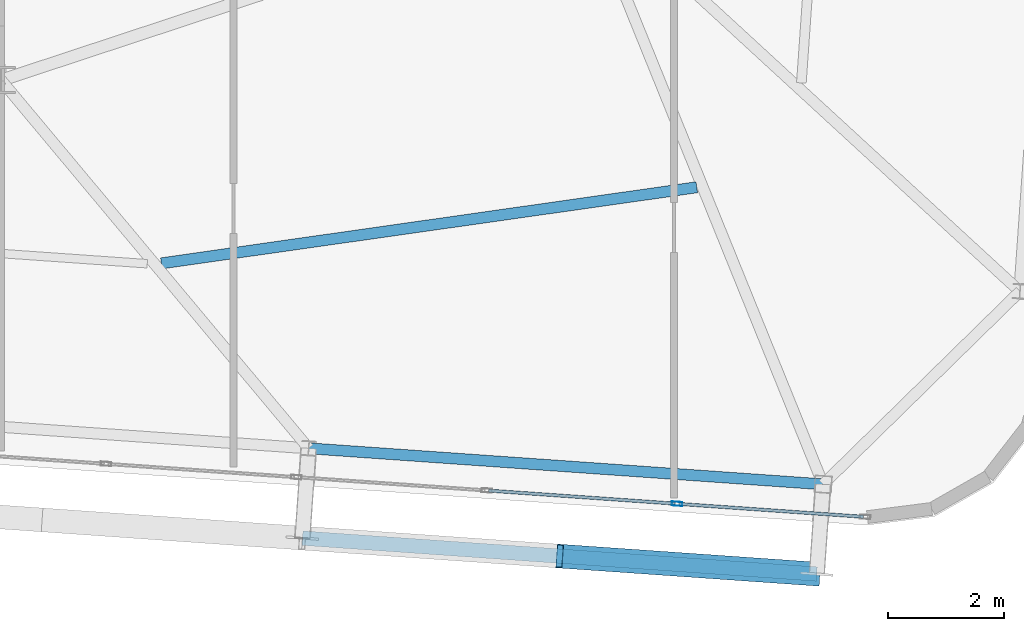
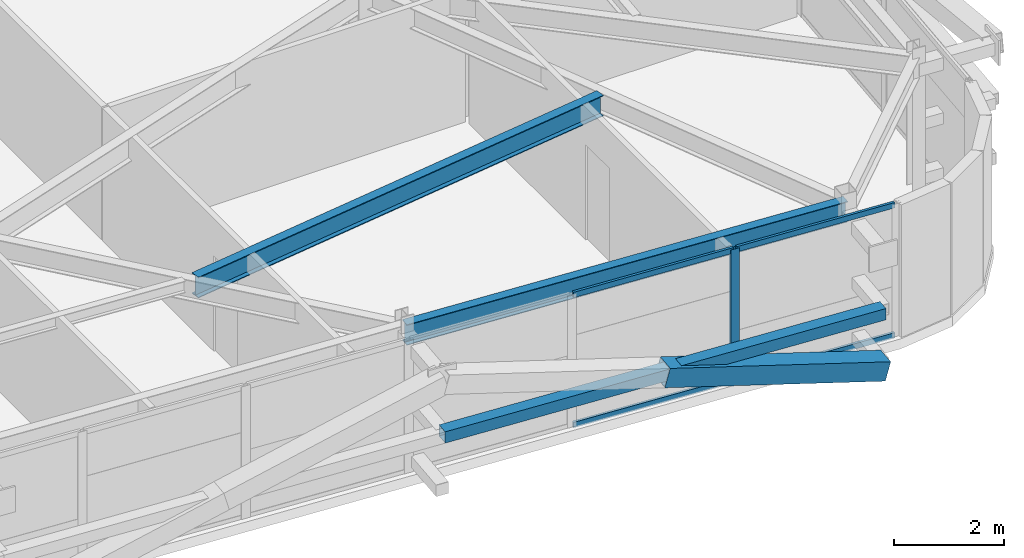
# One storey, part 19 of 47: 7 members, 2 beams, 1 element without a shape of its own.
"""IFC4 building model written with IfcOpenShell, lengths in metres."""

import ifcopenshell
import ifcopenshell.guid

model = None  # the IFC model being written
_history = None  # IfcOwnerHistory: only IFC2X3 demands one
_inside = {}  # id of a spatial element -> (the spatial element, [elements in it])
_under = {}  # id of a project, library or spatial element -> (it, [spatial elements below it])
_declared = {}  # id of a project -> (the project, [libraries it declares])
_typed = {}  # id of a type object -> (the type object, [elements of that type])
_made_of = {}  # id of a material, layer set ... -> (it, [elements and type objects made of it])


def new_model(schema):
    """Start an empty IFC model of exactly this schema.

    Asked for "IFC4X3", IfcOpenShell would pick the latest addendum, in which some entities
    have other attributes; the version numbers below select the first issue.
    IFC2X3 requires an IfcOwnerHistory on every rooted entity: one is made here for all.
    """
    global model, _history
    if schema == "IFC4X3":
        model = ifcopenshell.file(schema_version=(4, 3, 0, 0))
    else:
        model = ifcopenshell.file(schema=schema)
    _inside.clear()
    _under.clear()
    _declared.clear()
    _typed.clear()
    _made_of.clear()
    _history = None
    if model.schema == "IFC2X3":
        org = make("IfcOrganization", Name="unknown")
        user = make(
            "IfcPersonAndOrganization",
            ThePerson=make("IfcPerson", FamilyName="unknown"),
            TheOrganization=org,
        )
        app = make(
            "IfcApplication",
            ApplicationDeveloper=org,
            Version="unknown",
            ApplicationFullName="unknown",
            ApplicationIdentifier="unknown",
        )
        _history = make(
            "IfcOwnerHistory",
            OwningUser=user,
            OwningApplication=app,
            ChangeAction="ADDED",
            CreationDate=0,
        )
    return model


def make(cls, **values):
    """One entity of the class cls with the attributes given. An attribute that is None is left unset."""
    return model.create_entity(
        cls, **{name: value for name, value in values.items() if value is not None}
    )


def rooted(cls, **values):
    """An entity with a GlobalId (a new one), such as an element, a storey or a relation."""
    return make(cls, GlobalId=ifcopenshell.guid.new(), OwnerHistory=_history, **values)


def si_unit(unit_type, name, prefix=None):
    """IfcSIUnit, for example si_unit("LENGTHUNIT", "METRE", prefix="MILLI")."""
    return make("IfcSIUnit", UnitType=unit_type, Prefix=prefix, Name=name)


def assignment(units):
    """IfcUnitAssignment: the units of a project."""
    return None if units is None else make("IfcUnitAssignment", Units=units)


def point(xyz):
    """IfcCartesianPoint."""
    return None if xyz is None else make("IfcCartesianPoint", Coordinates=xyz)


def direction(xyz):
    """IfcDirection."""
    return None if xyz is None else make("IfcDirection", DirectionRatios=xyz)


def frame(location, z_axis=None, x_axis=None):
    """IfcAxis2Placement3D, a coordinate frame: its origin and axes. An axis left out is left unset."""
    return make(
        "IfcAxis2Placement3D",
        Location=point(location),
        Axis=direction(z_axis),
        RefDirection=direction(x_axis),
    )


def frame_2d(location, x_axis=None):
    """IfcAxis2Placement2D, a coordinate frame in the plane: its origin and x axis."""
    return make(
        "IfcAxis2Placement2D", Location=point(location), RefDirection=direction(x_axis)
    )


def origin():
    """The frame at (0, 0, 0) with its axes left unset."""
    return frame((0.0, 0.0, 0.0))


def origin_2d():
    """The frame at (0, 0) in the plane with its x axis left unset."""
    return frame_2d((0.0, 0.0))


def place(relative_to, where):
    """IfcLocalPlacement: puts the frame where relative to a parent placement (None: the world)."""
    return make(
        "IfcLocalPlacement", PlacementRelTo=relative_to, RelativePlacement=where
    )


def context(
    kind, dimensions, precision=None, world=None, true_north=None, identifier=None
):
    """IfcGeometricRepresentationContext, for example the 3D "Model" context."""
    return make(
        "IfcGeometricRepresentationContext",
        ContextIdentifier=identifier,
        ContextType=kind,
        CoordinateSpaceDimension=dimensions,
        Precision=precision,
        WorldCoordinateSystem=world,
        TrueNorth=true_north,
    )


def subcontext(parent, identifier, kind, view, scale=None):
    """IfcGeometricRepresentationSubContext, for example "Body" below "Model"."""
    return make(
        "IfcGeometricRepresentationSubContext",
        ContextIdentifier=identifier,
        ContextType=kind,
        ParentContext=parent,
        TargetScale=scale,
        TargetView=view,
    )


def project(units=None, contexts=None):
    """IfcProject with its units and contexts."""
    return rooted(
        "IfcProject",
        Name="project",
        RepresentationContexts=contexts,
        UnitsInContext=assignment(units),
    )


def spatial(cls, under=None, at=None, **own):
    """A site, building, storey or space (cls), placed at a placement, below another one or the project."""
    s = rooted(cls, ObjectPlacement=at, **own)
    if under is not None:
        _under.setdefault(under.id(), (under, []))[1].append(s)
    return s


def profile(cls, at=None, kind="AREA", **sizes):
    """A parametric profile (cls). Its sizes go by their IFC names, for example OverallWidth=200.0."""
    return make(cls, ProfileType=kind, Position=at, **sizes)


def hollow_rectangle(**sizes):
    """IfcRectangleHollowProfileDef."""
    return profile("IfcRectangleHollowProfileDef", **sizes)


def i_section(**sizes):
    """IfcIShapeProfileDef."""
    return profile("IfcIShapeProfileDef", **sizes)


def extrude(swept, where, along, depth):
    """IfcExtrudedAreaSolid: the profile swept, set in the frame where, extruded along a direction by depth."""
    return make(
        "IfcExtrudedAreaSolid",
        SweptArea=swept,
        Position=where,
        ExtrudedDirection=direction(along),
        Depth=depth,
    )


def shape(context_of_items, identifier, shape_type, items):
    """IfcShapeRepresentation: the items that make up one representation, for example the "Body"."""
    return make(
        "IfcShapeRepresentation",
        ContextOfItems=context_of_items,
        RepresentationIdentifier=identifier,
        RepresentationType=shape_type,
        Items=items,
    )


def source(mapping_origin, context_of_items, identifier, shape_type, items):
    """IfcRepresentationMap: a shape defined once, which mapped items show again and again."""
    return make(
        "IfcRepresentationMap",
        MappingOrigin=mapping_origin,
        MappedRepresentation=shape(context_of_items, identifier, shape_type, items),
    )


def transform(
    local_origin,
    x_axis=None,
    y_axis=None,
    z_axis=None,
    scale=None,
    scale2=None,
    scale3=None,
    uniform=True,
):
    """IfcCartesianTransformationOperator3D, or its non-uniform kind. x_axis, y_axis, z_axis: its Axis1, 2, 3."""
    if uniform:
        return make(
            "IfcCartesianTransformationOperator3D",
            Axis1=direction(x_axis),
            Axis2=direction(y_axis),
            LocalOrigin=point(local_origin),
            Scale=scale,
            Axis3=direction(z_axis),
        )
    return make(
        "IfcCartesianTransformationOperator3DnonUniform",
        Axis1=direction(x_axis),
        Axis2=direction(y_axis),
        LocalOrigin=point(local_origin),
        Scale=scale,
        Axis3=direction(z_axis),
        Scale2=scale2,
        Scale3=scale3,
    )


def mapped(mapping_source, mapping_target):
    """IfcMappedItem: shows the shape of a source again, moved by a transform."""
    return make(
        "IfcMappedItem", MappingSource=mapping_source, MappingTarget=mapping_target
    )


def material(Name=None, Category=None):
    """IfcMaterial."""
    return make("IfcMaterial", Name=Name, Category=Category)


def layer(
    of_material, thickness, ventilated=None, Name=None, Category=None, Priority=None
):
    """IfcMaterialLayer: one layer of a wall or slab, of a material (None: an air gap)."""
    return make(
        "IfcMaterialLayer",
        Material=of_material,
        LayerThickness=thickness,
        IsVentilated=ventilated,
        Name=Name,
        Category=Category,
        Priority=Priority,
    )


def layer_set(layers, Name=None):
    """IfcMaterialLayerSet."""
    return make("IfcMaterialLayerSet", MaterialLayers=layers, LayerSetName=Name)


def material_profile(
    of_material, cross_section, Name=None, Category=None, Priority=None
):
    """IfcMaterialProfile: a cross section and its material."""
    return make(
        "IfcMaterialProfile",
        Name=Name,
        Material=of_material,
        Profile=cross_section,
        Priority=Priority,
        Category=Category,
    )


def profile_set(profiles, Name=None, composite=None):
    """IfcMaterialProfileSet."""
    return make(
        "IfcMaterialProfileSet",
        Name=Name,
        MaterialProfiles=profiles,
        CompositeProfile=composite,
    )


def made_of(thing, what):
    """Note that an element or type object is made of a material, layer set ...; save() writes the relation."""
    if what is not None:
        _made_of.setdefault(what.id(), (what, []))[1].append(thing)
    return thing


def type_object(cls, material=None, **own):
    """A type object (cls), such as IfcWallType, which elements share."""
    return made_of(rooted(cls, **own), material)


def element(
    cls,
    number,
    at=None,
    inside=None,
    cuts=None,
    type_object=None,
    material=None,
    context=None,
    identifier="Body",
    shape_type=None,
    held_by="IfcProductDefinitionShape",
    body=None,
    shapes=None,
    **own,
):
    """One element of the class cls, such as IfcWall. Its Tag is "e" and its number.

    at: its placement. inside: the storey or other place that contains it. cuts: it is an
    opening in that element (IfcRelVoidsElement). A single representation is given by context,
    identifier, shape_type and body (its items); several are given by shapes. held_by: the class
    of the entity that holds the representations. save() writes the other relations.
    """
    e = rooted(cls, Tag="e%d" % number, ObjectPlacement=at, **own)
    if body is not None:
        shapes = [shape(context, identifier, shape_type, body)]
    if shapes is not None:
        e.Representation = make(held_by, Representations=shapes)
    if inside is not None:
        _inside.setdefault(inside.id(), (inside, []))[1].append(e)
    if cuts is not None:
        rooted(
            "IfcRelVoidsElement", RelatingBuildingElement=cuts, RelatedOpeningElement=e
        )
    if type_object is not None:
        _typed.setdefault(type_object.id(), (type_object, []))[1].append(e)
    return made_of(e, material)


def aggregate(whole, parts):
    """IfcRelAggregates: a whole, such as a stair, and the parts it consists of."""
    return rooted("IfcRelAggregates", RelatingObject=whole, RelatedObjects=parts)


def save(model, path):
    """Write the relations noted so far, then the file.

    IfcRelAggregates (storeys below a building ...), IfcRelContainedInSpatialStructure (elements
    in a storey), IfcRelDefinesByType, IfcRelAssociatesMaterial and IfcRelDeclares: one each for
    every whole, place, type object, material and project.
    """
    for whole, parts in _under.values():
        aggregate(whole, parts)
    for where, things in _inside.values():
        rooted(
            "IfcRelContainedInSpatialStructure",
            RelatedElements=things,
            RelatingStructure=where,
        )
    for kind, things in _typed.values():
        rooted("IfcRelDefinesByType", RelatedObjects=things, RelatingType=kind)
    for what, things in _made_of.values():
        rooted("IfcRelAssociatesMaterial", RelatedObjects=things, RelatingMaterial=what)
    for by, libraries in _declared.values():
        rooted("IfcRelDeclares", RelatingContext=by, RelatedDefinitions=libraries)
    model.write(path)


model = new_model("IFC4")

# Units and contexts
model_context = context("Model", 3, precision=1e-05, world=origin(), true_north=direction((0.0, 1.0)))
body_context = subcontext(model_context, "Body", "Model", "MODEL_VIEW")
ifc_project = project(units=[si_unit("LENGTHUNIT", "METRE"), si_unit("AREAUNIT", "SQUARE_METRE"), si_unit("VOLUMEUNIT", "CUBIC_METRE"), si_unit("PLANEANGLEUNIT", "RADIAN"), si_unit("MASSUNIT", "GRAM", prefix="KILO")], contexts=[model_context])

# Site, building, storey
site_placement = place(None, origin())
site = spatial("IfcSite", under=ifc_project, at=site_placement, CompositionType="ELEMENT")
building_placement = place(site_placement, origin())
building = spatial("IfcBuilding", under=site, at=building_placement, Name="Taldren Reach Tower", CompositionType="ELEMENT")
storey_placement = place(building_placement, frame((0.0, 0.0, 142.449951171875)))
storey = spatial("IfcBuildingStorey", under=building, at=storey_placement, Name="L43", CompositionType="ELEMENT", Elevation=142.449951171875)

# Beams
ifc_material_1 = material(Name="Steel Gr 350 (350PLUS)", Category="steel")
ifc_material_profile_1 = material_profile(ifc_material_1, i_section(OverallWidth=0.18994140625, OverallDepth=0.4541015625, WebThickness=0.008544921875, FlangeThickness=0.0126953125, at=origin_2d()), Name="460UB67.1")
ifc_profile_set_1 = profile_set([ifc_material_profile_1], Name="Steel Gr 350 (350PLUS)")
beam_type_1 = type_object("IfcBeamType", Name="SP-UB460B", PredefinedType="SPANDREL", material=ifc_profile_set_1)
shared_shape_1 = source(origin(), body_context, "Body", "SweptSolid", [
    extrude(i_section(OverallWidth=0.18994140625, OverallDepth=0.4541015625, WebThickness=0.008544921875, FlangeThickness=0.0126953125, at=origin_2d()), origin(), (0.0, 0.0, 1.0), 8.880126953125),
])
beam_1_placement = place(storey_placement, frame((47.297119140625, 2.860595703125, 2.703125), z_axis=(0.997564479639, -0.069750333063, 0.0), x_axis=(0.069750333063, 0.997564479639, 0.0)))
element("IfcBeam", 1, at=beam_1_placement, inside=storey, type_object=beam_type_1, Name="Perimeter spandrel B3 S5-S6 L43", PredefinedType="SPANDREL", context=body_context, shape_type="MappedRepresentation", body=[
    mapped(shared_shape_1, transform((0.0, 0.0, 0.0), scale=1.0)),
])
ifc_material_profile_2 = material_profile(ifc_material_1, i_section(OverallWidth=0.19091796875, OverallDepth=0.4599609375, WebThickness=0.010009765625, FlangeThickness=0.01611328125, at=origin_2d()), Name="460UB82.1")
ifc_profile_set_2 = profile_set([ifc_material_profile_2], Name="Steel Gr 350 (350PLUS)")
beam_type_2 = type_object("IfcBeamType", Name="BM-UB460A", PredefinedType="BEAM", material=ifc_profile_set_2)
shared_shape_2 = source(origin(), body_context, "Body", "SweptSolid", [
    extrude(i_section(OverallWidth=0.19091796875, OverallDepth=0.4599609375, WebThickness=0.010009765625, FlangeThickness=0.01611328125, at=origin_2d()), origin(), (0.0, 0.0, 1.0), 9.313232421875),
])
beam_2_placement = place(storey_placement, frame((44.759765625, 6.046142578125, 2.699951171875), z_axis=(0.990049385514, 0.140720340547, 0.0), x_axis=(-0.140720340547, 0.990049385514, 0.0)))
element("IfcBeam", 2, at=beam_2_placement, inside=storey, type_object=beam_type_2, Name="Secondary floor beam B3 J5 L43", PredefinedType="BEAM", context=body_context, shape_type="MappedRepresentation", body=[
    mapped(shared_shape_2, transform((0.0, 0.0, 0.0), scale=1.0)),
])

# Members
ifc_material_2 = material(Name="Steel Gr 350 (C350L0)", Category="steel")
ifc_material_profile_3 = material_profile(ifc_material_2, hollow_rectangle(XDim=0.25, YDim=0.25, WallThickness=0.010009765625, at=origin_2d()), Name="250x250x10.0SHS")
ifc_profile_set_3 = profile_set([ifc_material_profile_3], Name="Steel Gr 350 (C350L0)")
member_type_1 = type_object("IfcMemberType", Name="MB-POST250", PredefinedType="POST", material=ifc_profile_set_3)
shared_shape_3 = source(origin(), body_context, "Body", "SweptSolid", [
    extrude(hollow_rectangle(XDim=0.25, YDim=0.25, WallThickness=0.010009765625, at=origin_2d()), origin(), (0.0, 0.0, 1.0), 8.880126953125),
])
member_1_placement = place(storey_placement, frame((47.18896484375, 1.314453125, 1.43505859375), z_axis=(0.997564479639, -0.069750333063, 0.0), x_axis=(0.069750333063, 0.997564479639, 0.0)))
element("IfcMember", 3, at=member_1_placement, inside=storey, type_object=member_type_1, Name="Exoskeleton mid-height ring chord B3-S5 L43", PredefinedType="POST", context=body_context, shape_type="MappedRepresentation", body=[
    mapped(shared_shape_3, transform((0.0, 0.0, 0.0), scale=1.0)),
])
ifc_material_3 = material(Name="Steel Gr 450 (C450L0)", Category="steel")
ifc_material_profile_4 = material_profile(ifc_material_3, hollow_rectangle(XDim=0.409912109375, YDim=0.409912109375, WallThickness=0.01611328125, at=origin_2d()), Name="410x410x16.0SHS")
ifc_profile_set_4 = profile_set([ifc_material_profile_4], Name="Steel Gr 450 (C450L0)")
member_type_2 = type_object("IfcMemberType", Name="MB-EXO406", PredefinedType="BRACE", material=ifc_profile_set_4)
shared_shape_4 = source(origin(), body_context, "Body", "SweptSolid", [
    extrude(hollow_rectangle(XDim=0.409912109375, YDim=0.409912109375, WallThickness=0.01611328125, at=origin_2d()), origin(), (0.0, 0.0, 1.0), 4.603271484375),
])
member_2_placement = place(storey_placement, frame((56.04736328125, 0.695068359375, 0.219970703125), z_axis=(-0.962185784239, 0.067250114343, 0.263962002434), x_axis=(-0.069722973508, -0.997566392259, 0.0)))
element("IfcMember", 4, at=member_2_placement, inside=storey, type_object=member_type_2, Name="Exoskeleton Diagrid Brace B3-S5 L43", PredefinedType="BRACE", context=body_context, shape_type="MappedRepresentation", body=[
    mapped(shared_shape_4, transform((0.0, 0.0, 0.0), scale=1.0)),
])

# Curtain wall, members
ifc_material_4 = material(Name="Aluminium and Low-E Glass Unitised System", Category="aluminium")
ifc_layer = layer(ifc_material_4, 0.159912109375)
ifc_layer_set = layer_set([ifc_layer], Name="Aluminium and Low-E Glass Unitised System")
curtain_wall_type = type_object("IfcCurtainWallType", Name="CW-SYS-4", PredefinedType="NOTDEFINED", material=ifc_layer_set)
curtain_wall_placement = place(storey_placement, origin())
curtain_wall = element("IfcCurtainWall", 5, at=curtain_wall_placement, inside=storey, type_object=curtain_wall_type, Name="Unitised curtain wall CW-L43-S", PredefinedType="NOTDEFINED")
ifc_material_5 = material(Name="Anodised Aluminium 6063-T6", Category="aluminium")
ifc_material_profile_5 = material_profile(ifc_material_5, hollow_rectangle(XDim=0.070068359375, YDim=0.179931640625, WallThickness=0.00390625, at=origin_2d()), Name="ALU-180x70x4RHS")
ifc_profile_set_5 = profile_set([ifc_material_profile_5], Name="Anodised Aluminium 6063-T6")
member_type_3 = type_object("IfcMemberType", Name="CW-MUL-180", PredefinedType="MULLION", material=ifc_profile_set_5)
shared_shape_5 = source(origin(), body_context, "Body", "SweptSolid", [
    extrude(hollow_rectangle(XDim=0.070068359375, YDim=0.179931640625, WallThickness=0.00390625, at=origin_2d()), origin(), (0.0, 0.0, 1.0), 2.929931640625),
])
member_3_placement = place(storey_placement, frame((53.64013671875, 1.90576171875, 0.0), z_axis=(0.0, 0.0, 1.0), x_axis=(0.06975651593, 0.99756404731, 0.0)))
member_3 = element("IfcMember", 6, at=member_3_placement, type_object=member_type_3, Name="CW-4 mullion 14", PredefinedType="MULLION", context=body_context, shape_type="MappedRepresentation", body=[
    mapped(shared_shape_5, transform((0.0, 0.0, 0.0), scale=1.0)),
])
ifc_material_profile_6 = material_profile(ifc_material_5, hollow_rectangle(XDim=0.054931640625, YDim=0.1201171875, WallThickness=0.0029296875, at=origin_2d()), Name="ALU-120x55x3RHS")
ifc_profile_set_6 = profile_set([ifc_material_profile_6], Name="Anodised Aluminium 6063-T6")
member_type_4 = type_object("IfcMemberType", Name="CW-TRN-135", PredefinedType="USERDEFINED", material=ifc_profile_set_6)
shared_shape_6 = source(origin(), body_context, "Body", "SweptSolid", [
    extrude(hollow_rectangle(XDim=0.054931640625, YDim=0.1201171875, WallThickness=0.0029296875, at=origin_2d()), origin(), (0.0, 0.0, 1.0), 3.215576171875),
])
member_4_placement = place(storey_placement, frame((50.3974609375, 2.132568359375, 0.027587890625), z_axis=(0.997562826405, -0.069773973473, 0.0), x_axis=(0.069773973473, 0.997562826405, 0.0)))
member_4 = element("IfcMember", 7, at=member_4_placement, type_object=member_type_4, Name="CW-4 transom 13.1", ObjectType="TRANSOM", PredefinedType="USERDEFINED", context=body_context, shape_type="MappedRepresentation", body=[
    mapped(shared_shape_6, transform((0.0, 0.0, 0.0), scale=1.0)),
])
member_5_placement = place(storey_placement, frame((50.3974609375, 2.132568359375, 2.902587890625), z_axis=(0.997562826405, -0.069773973473, 0.0), x_axis=(0.069773973473, 0.997562826405, 0.0)))
member_5 = element("IfcMember", 8, at=member_5_placement, type_object=member_type_4, Name="CW-4 transom 13.2", ObjectType="TRANSOM", PredefinedType="USERDEFINED", context=body_context, shape_type="MappedRepresentation", body=[
    mapped(shared_shape_6, transform((0.0, 0.0, 0.0), scale=1.0)),
])
shared_shape_7 = source(origin(), body_context, "Body", "SweptSolid", [
    extrude(hollow_rectangle(XDim=0.054931640625, YDim=0.1201171875, WallThickness=0.0029296875, at=origin_2d()), origin(), (0.0, 0.0, 1.0), 3.180908203125),
])
member_6_placement = place(storey_placement, frame((53.675048828125, 1.9033203125, 0.027587890625), z_axis=(0.997568528123, -0.069692407751, 0.0), x_axis=(0.069692407751, 0.997568528123, 0.0)))
member_6 = element("IfcMember", 9, at=member_6_placement, type_object=member_type_4, Name="CW-4 transom 14.1", ObjectType="TRANSOM", PredefinedType="USERDEFINED", context=body_context, shape_type="MappedRepresentation", body=[
    mapped(shared_shape_7, transform((0.0, 0.0, 0.0), scale=1.0)),
])
member_7_placement = place(storey_placement, frame((53.675048828125, 1.9033203125, 2.902587890625), z_axis=(0.997568528123, -0.069692407751, 0.0), x_axis=(0.069692407751, 0.997568528123, 0.0)))
member_7 = element("IfcMember", 10, at=member_7_placement, type_object=member_type_4, Name="CW-4 transom 14.2", ObjectType="TRANSOM", PredefinedType="USERDEFINED", context=body_context, shape_type="MappedRepresentation", body=[
    mapped(shared_shape_7, transform((0.0, 0.0, 0.0), scale=1.0)),
])
aggregate(curtain_wall, [member_3, member_4, member_5, member_6, member_7])

save(model, "model.ifc")
